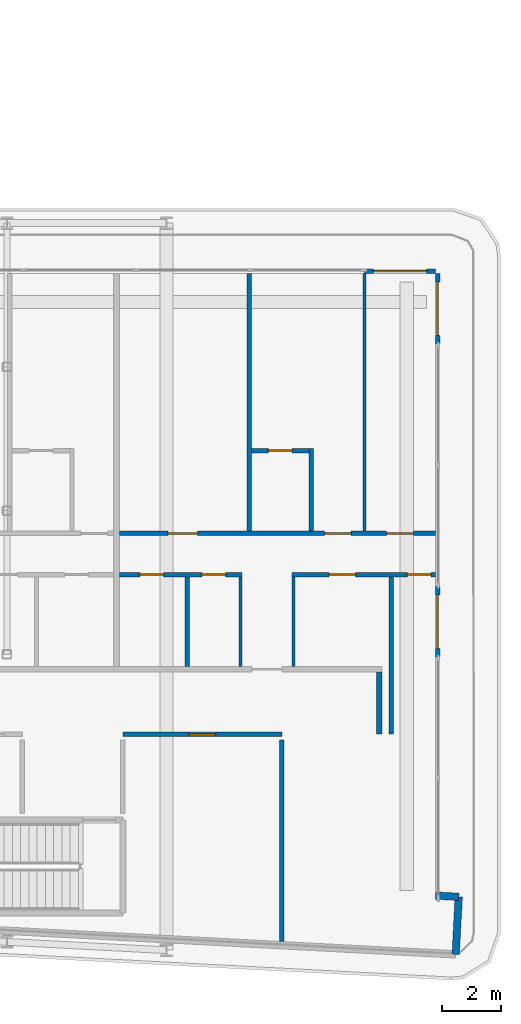
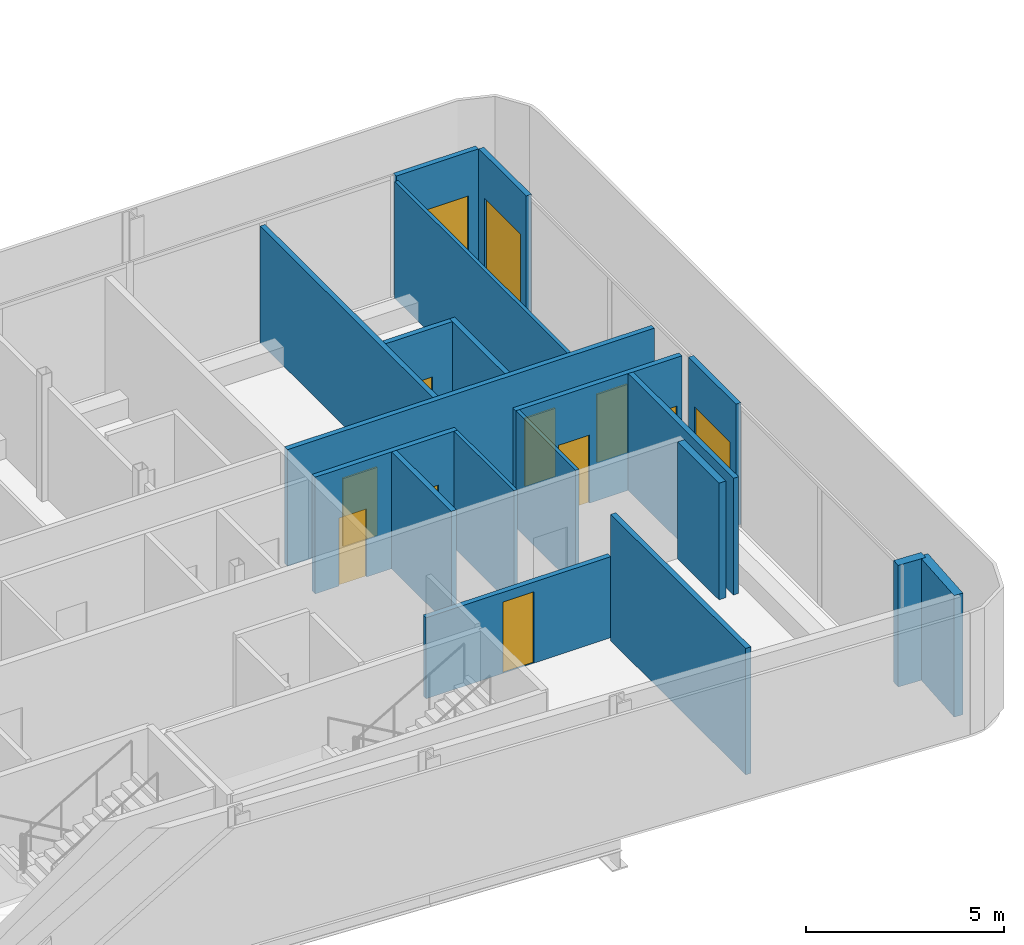
# One storey, part 21 of 30: 19 walls, 12 doors, 12 openings.
"""IFC4 building model written with IfcOpenShell, lengths in metres."""

import ifcopenshell
import ifcopenshell.guid

model = None  # the IFC model being written
_history = None  # IfcOwnerHistory: only IFC2X3 demands one
_inside = {}  # id of a spatial element -> (the spatial element, [elements in it])
_under = {}  # id of a project, library or spatial element -> (it, [spatial elements below it])
_declared = {}  # id of a project -> (the project, [libraries it declares])
_typed = {}  # id of a type object -> (the type object, [elements of that type])
_made_of = {}  # id of a material, layer set ... -> (it, [elements and type objects made of it])


def new_model(schema):
    """Start an empty IFC model of exactly this schema.

    Asked for "IFC4X3", IfcOpenShell would pick the latest addendum, in which some entities
    have other attributes; the version numbers below select the first issue.
    IFC2X3 requires an IfcOwnerHistory on every rooted entity: one is made here for all.
    """
    global model, _history
    if schema == "IFC4X3":
        model = ifcopenshell.file(schema_version=(4, 3, 0, 0))
    else:
        model = ifcopenshell.file(schema=schema)
    _inside.clear()
    _under.clear()
    _declared.clear()
    _typed.clear()
    _made_of.clear()
    _history = None
    if model.schema == "IFC2X3":
        org = make("IfcOrganization", Name="unknown")
        user = make(
            "IfcPersonAndOrganization",
            ThePerson=make("IfcPerson", FamilyName="unknown"),
            TheOrganization=org,
        )
        app = make(
            "IfcApplication",
            ApplicationDeveloper=org,
            Version="unknown",
            ApplicationFullName="unknown",
            ApplicationIdentifier="unknown",
        )
        _history = make(
            "IfcOwnerHistory",
            OwningUser=user,
            OwningApplication=app,
            ChangeAction="ADDED",
            CreationDate=0,
        )
    return model


def make(cls, **values):
    """One entity of the class cls with the attributes given. An attribute that is None is left unset."""
    return model.create_entity(
        cls, **{name: value for name, value in values.items() if value is not None}
    )


def rooted(cls, **values):
    """An entity with a GlobalId (a new one), such as an element, a storey or a relation."""
    return make(cls, GlobalId=ifcopenshell.guid.new(), OwnerHistory=_history, **values)


def si_unit(unit_type, name, prefix=None):
    """IfcSIUnit, for example si_unit("LENGTHUNIT", "METRE", prefix="MILLI")."""
    return make("IfcSIUnit", UnitType=unit_type, Prefix=prefix, Name=name)


def assignment(units):
    """IfcUnitAssignment: the units of a project."""
    return None if units is None else make("IfcUnitAssignment", Units=units)


def point(xyz):
    """IfcCartesianPoint."""
    return None if xyz is None else make("IfcCartesianPoint", Coordinates=xyz)


def direction(xyz):
    """IfcDirection."""
    return None if xyz is None else make("IfcDirection", DirectionRatios=xyz)


def frame(location, z_axis=None, x_axis=None):
    """IfcAxis2Placement3D, a coordinate frame: its origin and axes. An axis left out is left unset."""
    return make(
        "IfcAxis2Placement3D",
        Location=point(location),
        Axis=direction(z_axis),
        RefDirection=direction(x_axis),
    )


def frame_2d(location, x_axis=None):
    """IfcAxis2Placement2D, a coordinate frame in the plane: its origin and x axis."""
    return make(
        "IfcAxis2Placement2D", Location=point(location), RefDirection=direction(x_axis)
    )


def origin():
    """The frame at (0, 0, 0) with its axes left unset."""
    return frame((0.0, 0.0, 0.0))


def place(relative_to, where):
    """IfcLocalPlacement: puts the frame where relative to a parent placement (None: the world)."""
    return make(
        "IfcLocalPlacement", PlacementRelTo=relative_to, RelativePlacement=where
    )


def context(
    kind, dimensions, precision=None, world=None, true_north=None, identifier=None
):
    """IfcGeometricRepresentationContext, for example the 3D "Model" context."""
    return make(
        "IfcGeometricRepresentationContext",
        ContextIdentifier=identifier,
        ContextType=kind,
        CoordinateSpaceDimension=dimensions,
        Precision=precision,
        WorldCoordinateSystem=world,
        TrueNorth=true_north,
    )


def subcontext(parent, identifier, kind, view, scale=None):
    """IfcGeometricRepresentationSubContext, for example "Body" below "Model"."""
    return make(
        "IfcGeometricRepresentationSubContext",
        ContextIdentifier=identifier,
        ContextType=kind,
        ParentContext=parent,
        TargetScale=scale,
        TargetView=view,
    )


def project(units=None, contexts=None):
    """IfcProject with its units and contexts."""
    return rooted(
        "IfcProject",
        Name="project",
        RepresentationContexts=contexts,
        UnitsInContext=assignment(units),
    )


def spatial(cls, under=None, at=None, **own):
    """A site, building, storey or space (cls), placed at a placement, below another one or the project."""
    s = rooted(cls, ObjectPlacement=at, **own)
    if under is not None:
        _under.setdefault(under.id(), (under, []))[1].append(s)
    return s


def profile(cls, at=None, kind="AREA", **sizes):
    """A parametric profile (cls). Its sizes go by their IFC names, for example OverallWidth=200.0."""
    return make(cls, ProfileType=kind, Position=at, **sizes)


def rectangle(**sizes):
    """IfcRectangleProfileDef."""
    return profile("IfcRectangleProfileDef", **sizes)


def extrude(swept, where, along, depth):
    """IfcExtrudedAreaSolid: the profile swept, set in the frame where, extruded along a direction by depth."""
    return make(
        "IfcExtrudedAreaSolid",
        SweptArea=swept,
        Position=where,
        ExtrudedDirection=direction(along),
        Depth=depth,
    )


def shape(context_of_items, identifier, shape_type, items):
    """IfcShapeRepresentation: the items that make up one representation, for example the "Body"."""
    return make(
        "IfcShapeRepresentation",
        ContextOfItems=context_of_items,
        RepresentationIdentifier=identifier,
        RepresentationType=shape_type,
        Items=items,
    )


def source(mapping_origin, context_of_items, identifier, shape_type, items):
    """IfcRepresentationMap: a shape defined once, which mapped items show again and again."""
    return make(
        "IfcRepresentationMap",
        MappingOrigin=mapping_origin,
        MappedRepresentation=shape(context_of_items, identifier, shape_type, items),
    )


def transform(
    local_origin,
    x_axis=None,
    y_axis=None,
    z_axis=None,
    scale=None,
    scale2=None,
    scale3=None,
    uniform=True,
):
    """IfcCartesianTransformationOperator3D, or its non-uniform kind. x_axis, y_axis, z_axis: its Axis1, 2, 3."""
    if uniform:
        return make(
            "IfcCartesianTransformationOperator3D",
            Axis1=direction(x_axis),
            Axis2=direction(y_axis),
            LocalOrigin=point(local_origin),
            Scale=scale,
            Axis3=direction(z_axis),
        )
    return make(
        "IfcCartesianTransformationOperator3DnonUniform",
        Axis1=direction(x_axis),
        Axis2=direction(y_axis),
        LocalOrigin=point(local_origin),
        Scale=scale,
        Axis3=direction(z_axis),
        Scale2=scale2,
        Scale3=scale3,
    )


def mapped(mapping_source, mapping_target):
    """IfcMappedItem: shows the shape of a source again, moved by a transform."""
    return make(
        "IfcMappedItem", MappingSource=mapping_source, MappingTarget=mapping_target
    )


def material(Name=None, Category=None):
    """IfcMaterial."""
    return make("IfcMaterial", Name=Name, Category=Category)


def layer(
    of_material, thickness, ventilated=None, Name=None, Category=None, Priority=None
):
    """IfcMaterialLayer: one layer of a wall or slab, of a material (None: an air gap)."""
    return make(
        "IfcMaterialLayer",
        Material=of_material,
        LayerThickness=thickness,
        IsVentilated=ventilated,
        Name=Name,
        Category=Category,
        Priority=Priority,
    )


def layer_set(layers, Name=None):
    """IfcMaterialLayerSet."""
    return make("IfcMaterialLayerSet", MaterialLayers=layers, LayerSetName=Name)


def made_of(thing, what):
    """Note that an element or type object is made of a material, layer set ...; save() writes the relation."""
    if what is not None:
        _made_of.setdefault(what.id(), (what, []))[1].append(thing)
    return thing


def type_object(cls, material=None, **own):
    """A type object (cls), such as IfcWallType, which elements share."""
    return made_of(rooted(cls, **own), material)


def element(
    cls,
    number,
    at=None,
    inside=None,
    cuts=None,
    type_object=None,
    material=None,
    context=None,
    identifier="Body",
    shape_type=None,
    held_by="IfcProductDefinitionShape",
    body=None,
    shapes=None,
    **own,
):
    """One element of the class cls, such as IfcWall. Its Tag is "e" and its number.

    at: its placement. inside: the storey or other place that contains it. cuts: it is an
    opening in that element (IfcRelVoidsElement). A single representation is given by context,
    identifier, shape_type and body (its items); several are given by shapes. held_by: the class
    of the entity that holds the representations. save() writes the other relations.
    """
    e = rooted(cls, Tag="e%d" % number, ObjectPlacement=at, **own)
    if body is not None:
        shapes = [shape(context, identifier, shape_type, body)]
    if shapes is not None:
        e.Representation = make(held_by, Representations=shapes)
    if inside is not None:
        _inside.setdefault(inside.id(), (inside, []))[1].append(e)
    if cuts is not None:
        rooted(
            "IfcRelVoidsElement", RelatingBuildingElement=cuts, RelatedOpeningElement=e
        )
    if type_object is not None:
        _typed.setdefault(type_object.id(), (type_object, []))[1].append(e)
    return made_of(e, material)


def fill(opening, filler):
    """IfcRelFillsElement: the door or window that sits in an opening."""
    return rooted(
        "IfcRelFillsElement",
        RelatingOpeningElement=opening,
        RelatedBuildingElement=filler,
    )


def aggregate(whole, parts):
    """IfcRelAggregates: a whole, such as a stair, and the parts it consists of."""
    return rooted("IfcRelAggregates", RelatingObject=whole, RelatedObjects=parts)


def save(model, path):
    """Write the relations noted so far, then the file.

    IfcRelAggregates (storeys below a building ...), IfcRelContainedInSpatialStructure (elements
    in a storey), IfcRelDefinesByType, IfcRelAssociatesMaterial and IfcRelDeclares: one each for
    every whole, place, type object, material and project.
    """
    for whole, parts in _under.values():
        aggregate(whole, parts)
    for where, things in _inside.values():
        rooted(
            "IfcRelContainedInSpatialStructure",
            RelatedElements=things,
            RelatingStructure=where,
        )
    for kind, things in _typed.values():
        rooted("IfcRelDefinesByType", RelatedObjects=things, RelatingType=kind)
    for what, things in _made_of.values():
        rooted("IfcRelAssociatesMaterial", RelatedObjects=things, RelatingMaterial=what)
    for by, libraries in _declared.values():
        rooted("IfcRelDeclares", RelatingContext=by, RelatedDefinitions=libraries)
    model.write(path)


model = new_model("IFC4")

# Units and contexts
model_context = context("Model", 3, precision=1e-05, world=origin(), true_north=direction((0.0, 1.0)))
body_context = subcontext(model_context, "Body", "Model", "MODEL_VIEW")
ifc_project = project(units=[si_unit("LENGTHUNIT", "METRE"), si_unit("AREAUNIT", "SQUARE_METRE"), si_unit("VOLUMEUNIT", "CUBIC_METRE"), si_unit("PLANEANGLEUNIT", "RADIAN"), si_unit("MASSUNIT", "GRAM", prefix="KILO")], contexts=[model_context])

# Site, building, storey
site_placement = place(None, origin())
site = spatial("IfcSite", under=ifc_project, at=site_placement, CompositionType="ELEMENT")
building_placement = place(site_placement, origin())
building = spatial("IfcBuilding", under=site, at=building_placement, Name="Kheshtan School and Residences Tower", CompositionType="ELEMENT")
storey_placement = place(building_placement, frame((0.0, 0.0, 199.39990234375)))
storey = spatial("IfcBuildingStorey", under=building, at=storey_placement, Name="L47", CompositionType="ELEMENT", Elevation=199.39990234375)

# Walls
ifc_material_1 = material(Name="Gypsum board on steel studs with fire boards", Category="steel")
ifc_layer_1 = layer(ifc_material_1, 0.199951171875)
ifc_layer_set_1 = layer_set([ifc_layer_1], Name="Corridor wall 200")
wall_type_1 = type_object("IfcWallType", Name="Corridor wall 200", PredefinedType="PARTITIONING", material=ifc_layer_set_1)
wall_1_placement = place(storey_placement, frame((98.0, 28.300048828125, 0.0), z_axis=(0.0, 0.0, 1.0), x_axis=(0.0, 1.0, 0.0)))
element("IfcWall", 1, at=wall_1_placement, inside=storey, type_object=wall_type_1, Name="Partition L47-078", PredefinedType="PARTITIONING", context=body_context, shape_type="SweptSolid", body=[
    extrude(rectangle(XDim=2.099853515625, YDim=0.199951171875, at=frame_2d((1.0498046875, 0.0))), origin(), (0.0, 0.0, 1.0), 3.60009765625),
])
ifc_material_2 = material(Name="Concrete C40/50 with ceramic cladding and mineral wool insulation", Category="concrete")
ifc_layer_2 = layer(ifc_material_2, 0.25)
ifc_layer_set_2 = layer_set([ifc_layer_2], Name="External wall 250 ceramic clad")
wall_type_2 = type_object("IfcWallType", Name="External wall 250 ceramic clad", PredefinedType="SOLIDWALL", material=ifc_layer_set_2)
wall_2_placement = place(storey_placement, frame((99.906982421875, 22.839111328125, 0.0), z_axis=(0.0, 0.0, 1.0), x_axis=(0.998561284263, -0.053622398031, 0.0)))
element("IfcWall", 2, at=wall_2_placement, inside=storey, type_object=wall_type_2, Name="External wall L47 14", PredefinedType="SOLIDWALL", context=body_context, shape_type="SweptSolid", body=[
    extrude(rectangle(XDim=0.783203125, YDim=0.25, at=frame_2d((0.3916015625, 0.0))), origin(), (0.0, 0.0, 1.0), 3.75),
])
wall_3_placement = place(storey_placement, frame((100.68896484375, 22.797119140625, 0.0), z_axis=(0.0, 0.0, 1.0), x_axis=(-0.052841433274, -0.998602915542, 0.0)))
element("IfcWall", 3, at=wall_3_placement, inside=storey, type_object=wall_type_2, Name="External wall L47 15", PredefinedType="SOLIDWALL", context=body_context, shape_type="SweptSolid", body=[
    extrude(rectangle(XDim=1.94970703125, YDim=0.25, at=frame_2d((0.974853515625, 0.0))), origin(), (0.0, 0.0, 1.0), 3.75),
])

# Wall, opening, door
ifc_material_3 = material(Name="Aluminium frame wall with insulated infill", Category="aluminium")
ifc_layer_3 = layer(ifc_material_3, 0.14990234375)
ifc_layer_set_3 = layer_set([ifc_layer_3], Name="Glazing frame wall 150")
wall_type_3 = type_object("IfcWallType", Name="Glazing frame wall 150", PredefinedType="SOLIDWALL", material=ifc_layer_set_3)
wall_4_placement = place(storey_placement, frame((97.5, 43.97509765625, 0.0), z_axis=(0.0, 0.0, 1.0), x_axis=(1.0, 0.0, 0.0)))
wall_4 = element("IfcWall", 4, at=wall_4_placement, inside=storey, type_object=wall_type_3, Name="Balcony door wall L47 12.5", PredefinedType="SOLIDWALL", context=body_context, shape_type="SweptSolid", body=[
    extrude(rectangle(XDim=2.39990234375, YDim=0.14990234375, at=frame_2d((1.199951171875, 0.0))), origin(), (0.0, 0.0, 1.0), 3.75),
])
opening_1_placement = place(wall_4_placement, frame((0.300048828125, 0.0, 0.0)))
opening_1 = element("IfcOpeningElement", 5, at=opening_1_placement, cuts=wall_4, Name="Opening BD", PredefinedType="OPENING", context=body_context, shape_type="SweptSolid", body=[
    extrude(rectangle(XDim=1.800048828125, YDim=2.39990234375, at=frame_2d((0.89990234375, 1.199951171875))), frame((0.0, 0.0849609375, 0.0), z_axis=(0.0, -1.0, 0.0), x_axis=(1.0, 0.0, 0.0)), (0.0, 0.0, 1.0), 0.169921875),
])
ifc_material_4 = material(Name="Clear low-e glass in thermally broken aluminium frame", Category="aluminium")
door_type_1 = type_object("IfcDoorType", Name="Balcony sliding door", OperationType="SLIDING_TO_LEFT", PredefinedType="DOOR", material=ifc_material_4)
shared_shape_1 = source(origin(), body_context, "Body", "SweptSolid", [
    extrude(rectangle(XDim=1.800048828125, YDim=2.39990234375, at=frame_2d((0.89990234375, 1.199951171875))), frame((0.0, 0.02490234375, 0.0), z_axis=(0.0, -1.0, 0.0), x_axis=(1.0, 0.0, 0.0)), (0.0, 0.0, 1.0), 0.050048828125),
])
door_1_placement = place(opening_1_placement, origin())
door_1 = element("IfcDoor", 6, at=door_1_placement, inside=storey, type_object=door_type_1, Name="Balcony door L47 12.5", OperationType="SLIDING_TO_LEFT", OverallHeight=2.39990234375, OverallWidth=1.800048828125, PredefinedType="DOOR", context=body_context, shape_type="MappedRepresentation", body=[
    mapped(shared_shape_1, transform((0.0, 0.0, 0.0), x_axis=(1.0, 0.0, 0.0), y_axis=(0.0, 1.0, 0.0), z_axis=(0.0, 0.0, 1.0), scale=1.0)),
])
fill(opening_1, door_1)

wall_5_placement = place(storey_placement, frame((99.97509765625, 43.89990234375, 0.0), z_axis=(0.0, 0.0, 1.0), x_axis=(0.0, -1.0, 0.0)))
wall_5 = element("IfcWall", 7, at=wall_5_placement, inside=storey, type_object=wall_type_3, Name="Balcony door wall L47 13.1", PredefinedType="SOLIDWALL", context=body_context, shape_type="SweptSolid", body=[
    extrude(rectangle(XDim=2.39990234375, YDim=0.14990234375, at=frame_2d((1.199951171875, 0.0))), origin(), (0.0, 0.0, 1.0), 3.75),
])
opening_2_placement = place(wall_5_placement, frame((0.300048828125, 0.0, 0.0)))
opening_2 = element("IfcOpeningElement", 8, at=opening_2_placement, cuts=wall_5, Name="Opening BD", PredefinedType="OPENING", context=body_context, shape_type="SweptSolid", body=[
    extrude(rectangle(XDim=1.800048828125, YDim=2.39990234375, at=frame_2d((0.89990234375, 1.199951171875))), frame((0.0, 0.0849609375, 0.0), z_axis=(0.0, -1.0, 0.0), x_axis=(1.0, 0.0, 0.0)), (0.0, 0.0, 1.0), 0.169921875),
])
door_2_placement = place(opening_2_placement, origin())
door_2 = element("IfcDoor", 9, at=door_2_placement, inside=storey, type_object=door_type_1, Name="Balcony door L47 13.1", OperationType="SLIDING_TO_LEFT", OverallHeight=2.39990234375, OverallWidth=1.800048828125, PredefinedType="DOOR", context=body_context, shape_type="MappedRepresentation", body=[
    mapped(shared_shape_1, transform((0.0, 0.0, 0.0), x_axis=(1.0, 0.0, 0.0), y_axis=(0.0, 1.0, 0.0), z_axis=(0.0, 0.0, 1.0), scale=1.0)),
])
fill(opening_2, door_2)

wall_6_placement = place(storey_placement, frame((99.97509765625, 33.306884765625, 0.0), z_axis=(0.0, 0.0, 1.0), x_axis=(0.0, -1.0, 0.0)))
wall_6 = element("IfcWall", 10, at=wall_6_placement, inside=storey, type_object=wall_type_3, Name="Balcony door wall L47 13.2", PredefinedType="SOLIDWALL", context=body_context, shape_type="SweptSolid", body=[
    extrude(rectangle(XDim=2.39990234375, YDim=0.14990234375, at=frame_2d((1.199951171875, 0.0))), origin(), (0.0, 0.0, 1.0), 3.75),
])
opening_3_placement = place(wall_6_placement, frame((0.300048828125, 0.0, 0.0)))
opening_3 = element("IfcOpeningElement", 11, at=opening_3_placement, cuts=wall_6, Name="Opening BD", PredefinedType="OPENING", context=body_context, shape_type="SweptSolid", body=[
    extrude(rectangle(XDim=1.800048828125, YDim=2.39990234375, at=frame_2d((0.89990234375, 1.199951171875))), frame((0.0, 0.0849609375, 0.0), z_axis=(0.0, -1.0, 0.0), x_axis=(1.0, 0.0, 0.0)), (0.0, 0.0, 1.0), 0.169921875),
])
door_3_placement = place(opening_3_placement, origin())
door_3 = element("IfcDoor", 12, at=door_3_placement, inside=storey, type_object=door_type_1, Name="Balcony door L47 13.2", OperationType="SLIDING_TO_LEFT", OverallHeight=2.39990234375, OverallWidth=1.800048828125, PredefinedType="DOOR", context=body_context, shape_type="MappedRepresentation", body=[
    mapped(shared_shape_1, transform((0.0, 0.0, 0.0), x_axis=(1.0, 0.0, 0.0), y_axis=(0.0, 1.0, 0.0), z_axis=(0.0, 0.0, 1.0), scale=1.0)),
])
fill(opening_3, door_3)

# Walls
ifc_material_5 = material(Name="Gypsum board on steel studs", Category="steel")
ifc_layer_4 = layer(ifc_material_5, 0.10009765625)
ifc_layer_set_4 = layer_set([ifc_layer_4], Name="Gypsum partition 100")
wall_type_4 = type_object("IfcWallType", Name="Gypsum partition 100", PredefinedType="PARTITIONING", material=ifc_layer_set_4)
for number, where, z_axis, x_axis, name in (
    (13, (93.300048828125, 30.60009765625, 0.0), (0.0, 0.0, 1.0), (0.0, 1.0, 0.0), "Partition L47-071"),
    (14, (95.10009765625, 30.60009765625, 0.0), (0.0, 0.0, 1.0), (0.0, 1.0, 0.0), "Partition L47-075"),
):
    element("IfcWall", number, at=place(storey_placement, frame(where, z_axis=z_axis, x_axis=x_axis)), inside=storey, type_object=wall_type_4, Name=name, PredefinedType="PARTITIONING", context=body_context, shape_type="SweptSolid", body=[
        extrude(rectangle(XDim=3.02490234375, YDim=0.10009765625, at=frame_2d((1.512451171875, 0.0))), origin(), (0.0, 0.0, 1.0), 3.60009765625),
    ])
wall_7_placement = place(storey_placement, frame((97.5, 35.175048828125, 0.0), z_axis=(0.0, 0.0, 1.0), x_axis=(0.0, 1.0, 0.0)))
element("IfcWall", 15, at=wall_7_placement, inside=storey, type_object=wall_type_4, Name="Partition L47-077", PredefinedType="PARTITIONING", context=body_context, shape_type="SweptSolid", body=[
    extrude(rectangle(XDim=8.724853515625, YDim=0.10009765625, at=frame_2d((4.3623046875, 0.0))), origin(), (0.0, 0.0, 1.0), 3.60009765625),
])

# Wall, opening, door
ifc_material_6 = material(Name="Fire-board shaft wall system")
ifc_layer_5 = layer(ifc_material_6, 0.14990234375)
ifc_layer_set_5 = layer_set([ifc_layer_5], Name="Service room wall 150")
wall_type_5 = type_object("IfcWallType", Name="Service room wall 150", PredefinedType="PARTITIONING", material=ifc_layer_set_5)
wall_8_placement = place(storey_placement, frame((89.320068359375, 28.300048828125, 0.0), z_axis=(0.0, 0.0, 1.0), x_axis=(1.0, 0.0, 0.0)))
wall_8 = element("IfcWall", 16, at=wall_8_placement, inside=storey, type_object=wall_type_5, Name="Service room wall", PredefinedType="PARTITIONING", context=body_context, shape_type="SweptSolid", body=[
    extrude(rectangle(XDim=5.385986328125, YDim=0.14990234375, at=frame_2d((2.69287109375, 0.0))), origin(), (0.0, 0.0, 1.0), 2.5),
])
opening_4_placement = place(wall_8_placement, frame((2.242919921875, 0.0, 0.0)))
opening_4 = element("IfcOpeningElement", 17, at=opening_4_placement, cuts=wall_8, Name="Opening SR90", PredefinedType="OPENING", context=body_context, shape_type="SweptSolid", body=[
    extrude(rectangle(XDim=0.89990234375, YDim=2.199951171875, at=frame_2d((0.449951171875, 1.10009765625))), frame((0.0, 0.0849609375, 0.0), z_axis=(0.0, -1.0, 0.0), x_axis=(1.0, 0.0, 0.0)), (0.0, 0.0, 1.0), 0.169921875),
])
ifc_material_7 = material(Name="Steel door leaf, galvanised", Category="steel")
door_type_2 = type_object("IfcDoorType", Name="Service room door 900 steel 90 min", OperationType="SINGLE_SWING_LEFT", PredefinedType="DOOR", material=ifc_material_7)
shared_shape_2 = source(origin(), body_context, "Body", "SweptSolid", [
    extrude(rectangle(XDim=0.89990234375, YDim=2.199951171875, at=frame_2d((0.449951171875, 1.10009765625))), frame((0.0, 0.02490234375, 0.0), z_axis=(0.0, -1.0, 0.0), x_axis=(1.0, 0.0, 0.0)), (0.0, 0.0, 1.0), 0.050048828125),
])
door_4_placement = place(opening_4_placement, origin())
door_4 = element("IfcDoor", 18, at=door_4_placement, inside=storey, type_object=door_type_2, Name="Service room door", OperationType="SINGLE_SWING_LEFT", OverallHeight=2.199951171875, OverallWidth=0.89990234375, PredefinedType="DOOR", context=body_context, shape_type="MappedRepresentation", body=[
    mapped(shared_shape_2, transform((0.0, 0.0, 0.0), x_axis=(1.0, 0.0, 0.0), y_axis=(0.0, 1.0, 0.0), z_axis=(0.0, 0.0, 1.0), scale=1.0)),
])
fill(opening_4, door_4)

# Wall
wall_9_placement = place(storey_placement, frame((94.7060546875, 21.287109375, 0.0), z_axis=(0.0, 0.0, 1.0), x_axis=(0.0, 1.0, 0.0)))
element("IfcWall", 19, at=wall_9_placement, inside=storey, type_object=wall_type_5, Name="Service room wall", PredefinedType="PARTITIONING", context=body_context, shape_type="SweptSolid", body=[
    extrude(rectangle(XDim=6.81787109375, YDim=0.14990234375, at=frame_2d((3.408935546875, 0.0))), origin(), (0.0, 0.0, 1.0), 3.900146484375),
])

# Wall, openings, doors
ifc_material_8 = material(Name="Moisture-resistant gypsum board on steel studs", Category="steel")
ifc_layer_6 = layer(ifc_material_8, 0.14990234375)
ifc_layer_set_6 = layer_set([ifc_layer_6], Name="Wet-room partition 150")
wall_type_6 = type_object("IfcWallType", Name="Wet-room partition 150", PredefinedType="PARTITIONING", material=ifc_layer_set_6)
wall_10_placement = place(storey_placement, frame((89.199951171875, 33.699951171875, 0.0), z_axis=(0.0, 0.0, 1.0), x_axis=(1.0, 0.0, 0.0)))
wall_10 = element("IfcWall", 20, at=wall_10_placement, inside=storey, type_object=wall_type_6, Name="Partition L47-068", PredefinedType="PARTITIONING", context=body_context, shape_type="SweptSolid", body=[
    extrude(rectangle(XDim=4.150146484375, YDim=0.14990234375, at=frame_2d((2.0751953125, 0.0))), origin(), (0.0, 0.0, 1.0), 3.60009765625),
])
opening_5_placement = place(wall_10_placement, frame((0.699951171875, 0.0, 0.0)))
opening_5 = element("IfcOpeningElement", 21, at=opening_5_placement, cuts=wall_10, Name="Opening D46-027", PredefinedType="OPENING", context=body_context, shape_type="SweptSolid", body=[
    extrude(rectangle(XDim=0.800048828125, YDim=2.10009765625, at=frame_2d((0.39990234375, 1.050048828125))), frame((0.0, 0.0849609375, 0.0), z_axis=(0.0, -1.0, 0.0), x_axis=(1.0, 0.0, 0.0)), (0.0, 0.0, 1.0), 0.169921875),
])
opening_6_placement = place(wall_10_placement, frame((2.800048828125, 0.0, 0.0)))
opening_6 = element("IfcOpeningElement", 22, at=opening_6_placement, cuts=wall_10, Name="Opening D46-034", PredefinedType="OPENING", context=body_context, shape_type="SweptSolid", body=[
    extrude(rectangle(XDim=0.800048828125, YDim=2.10009765625, at=frame_2d((0.39990234375, 1.050048828125))), frame((0.0, 0.0849609375, 0.0), z_axis=(0.0, -1.0, 0.0), x_axis=(1.0, 0.0, 0.0)), (0.0, 0.0, 1.0), 0.169921875),
])
ifc_material_9 = material(Name="Veneered timber door leaf", Category="wood")
door_type_3 = type_object("IfcDoorType", Name="Door 800 x 2100", OperationType="SINGLE_SWING_LEFT", PredefinedType="DOOR", material=ifc_material_9)
shared_shape_3 = source(origin(), body_context, "Body", "SweptSolid", [
    extrude(rectangle(XDim=0.800048828125, YDim=2.10009765625, at=frame_2d((0.39990234375, 1.050048828125))), frame((0.0, 0.02490234375, 0.0), z_axis=(0.0, -1.0, 0.0), x_axis=(1.0, 0.0, 0.0)), (0.0, 0.0, 1.0), 0.050048828125),
])
door_5_placement = place(opening_5_placement, origin())
door_5 = element("IfcDoor", 23, at=door_5_placement, inside=storey, type_object=door_type_3, Name="Door D46-027", OperationType="SINGLE_SWING_RIGHT", OverallHeight=2.10009765625, OverallWidth=0.800048828125, PredefinedType="DOOR", context=body_context, shape_type="MappedRepresentation", body=[
    mapped(shared_shape_3, transform((0.0, 0.0, 0.0), x_axis=(1.0, 0.0, 0.0), y_axis=(0.0, 1.0, 0.0), z_axis=(0.0, 0.0, 1.0), scale=1.0)),
])
fill(opening_5, door_5)
door_6_placement = place(opening_6_placement, origin())
door_6 = element("IfcDoor", 24, at=door_6_placement, inside=storey, type_object=door_type_3, Name="Door D46-034", OperationType="SINGLE_SWING_LEFT", OverallHeight=2.10009765625, OverallWidth=0.800048828125, PredefinedType="DOOR", context=body_context, shape_type="MappedRepresentation", body=[
    mapped(shared_shape_3, transform((0.0, 0.0, 0.0), x_axis=(1.0, 0.0, 0.0), y_axis=(0.0, 1.0, 0.0), z_axis=(0.0, 0.0, 1.0), scale=1.0)),
])
fill(opening_6, door_6)

wall_11_placement = place(storey_placement, frame((89.199951171875, 35.10009765625, 0.0), z_axis=(0.0, 0.0, 1.0), x_axis=(1.0, 0.0, 0.0)))
wall_11 = element("IfcWall", 25, at=wall_11_placement, inside=storey, type_object=wall_type_6, Name="Partition L47-069", PredefinedType="PARTITIONING", context=body_context, shape_type="SweptSolid", body=[
    extrude(rectangle(XDim=10.699951171875, YDim=0.14990234375, at=frame_2d((5.35009765625, 0.0))), origin(), (0.0, 0.0, 1.0), 3.60009765625),
])
opening_7_placement = place(wall_11_placement, frame((9.050048828125, 0.0, 0.0)))
opening_7 = element("IfcOpeningElement", 26, at=opening_7_placement, cuts=wall_11, Name="Opening D46-028", PredefinedType="OPENING", context=body_context, shape_type="SweptSolid", body=[
    extrude(rectangle(XDim=0.89990234375, YDim=2.10009765625, at=frame_2d((0.449951171875, 1.050048828125))), frame((0.0, 0.0849609375, 0.0), z_axis=(0.0, -1.0, 0.0), x_axis=(1.0, 0.0, 0.0)), (0.0, 0.0, 1.0), 0.169921875),
])
opening_8_placement = place(wall_11_placement, frame((1.64990234375, 0.0, 0.0)))
opening_8 = element("IfcOpeningElement", 27, at=opening_8_placement, cuts=wall_11, Name="Opening D46-032", PredefinedType="OPENING", context=body_context, shape_type="SweptSolid", body=[
    extrude(rectangle(XDim=1.0, YDim=2.10009765625, at=frame_2d((0.5, 1.050048828125))), frame((0.0, 0.0849609375, 0.0), z_axis=(0.0, -1.0, 0.0), x_axis=(1.0, 0.0, 0.0)), (0.0, 0.0, 1.0), 0.169921875),
])
opening_9_placement = place(wall_11_placement, frame((6.949951171875, 0.0, 0.0)))
opening_9 = element("IfcOpeningElement", 28, at=opening_9_placement, cuts=wall_11, Name="Opening D46-033", PredefinedType="OPENING", context=body_context, shape_type="SweptSolid", body=[
    extrude(rectangle(XDim=0.89990234375, YDim=2.10009765625, at=frame_2d((0.449951171875, 1.050048828125))), frame((0.0, 0.0849609375, 0.0), z_axis=(0.0, -1.0, 0.0), x_axis=(1.0, 0.0, 0.0)), (0.0, 0.0, 1.0), 0.169921875),
])
door_type_4 = type_object("IfcDoorType", Name="Door 1000 x 2100", OperationType="SINGLE_SWING_LEFT", PredefinedType="DOOR", material=ifc_material_9)
shared_shape_4 = source(origin(), body_context, "Body", "SweptSolid", [
    extrude(rectangle(XDim=1.0, YDim=2.10009765625, at=frame_2d((0.5, 1.050048828125))), frame((0.0, 0.02490234375, 0.0), z_axis=(0.0, -1.0, 0.0), x_axis=(1.0, 0.0, 0.0)), (0.0, 0.0, 1.0), 0.050048828125),
])
door_7_placement = place(opening_8_placement, origin())
door_7 = element("IfcDoor", 29, at=door_7_placement, inside=storey, type_object=door_type_4, Name="Door D46-032", OperationType="SINGLE_SWING_LEFT", OverallHeight=2.10009765625, OverallWidth=1.0, PredefinedType="DOOR", context=body_context, shape_type="MappedRepresentation", body=[
    mapped(shared_shape_4, transform((0.0, 0.0, 0.0), x_axis=(1.0, 0.0, 0.0), y_axis=(0.0, 1.0, 0.0), z_axis=(0.0, 0.0, 1.0), scale=1.0)),
])
fill(opening_8, door_7)
door_type_5 = type_object("IfcDoorType", Name="Door 900 x 2100", OperationType="SINGLE_SWING_LEFT", PredefinedType="DOOR", material=ifc_material_9)
shared_shape_5 = source(origin(), body_context, "Body", "SweptSolid", [
    extrude(rectangle(XDim=0.89990234375, YDim=2.10009765625, at=frame_2d((0.449951171875, 1.050048828125))), frame((0.0, 0.02490234375, 0.0), z_axis=(0.0, -1.0, 0.0), x_axis=(1.0, 0.0, 0.0)), (0.0, 0.0, 1.0), 0.050048828125),
])
door_8_placement = place(opening_7_placement, origin())
door_8 = element("IfcDoor", 30, at=door_8_placement, inside=storey, type_object=door_type_5, Name="Door D46-028", OperationType="SINGLE_SWING_LEFT", OverallHeight=2.10009765625, OverallWidth=0.89990234375, PredefinedType="DOOR", context=body_context, shape_type="MappedRepresentation", body=[
    mapped(shared_shape_5, transform((0.0, 0.0, 0.0), x_axis=(1.0, 0.0, 0.0), y_axis=(0.0, 1.0, 0.0), z_axis=(0.0, 0.0, 1.0), scale=1.0)),
])
fill(opening_7, door_8)
door_9_placement = place(opening_9_placement, origin())
door_9 = element("IfcDoor", 31, at=door_9_placement, inside=storey, type_object=door_type_5, Name="Door D46-033", OperationType="SINGLE_SWING_LEFT", OverallHeight=2.10009765625, OverallWidth=0.89990234375, PredefinedType="DOOR", context=body_context, shape_type="MappedRepresentation", body=[
    mapped(shared_shape_5, transform((0.0, 0.0, 0.0), x_axis=(1.0, 0.0, 0.0), y_axis=(0.0, 1.0, 0.0), z_axis=(0.0, 0.0, 1.0), scale=1.0)),
])
fill(opening_9, door_9)

# Walls
wall_12_placement = place(storey_placement, frame((91.5, 30.60009765625, 0.0), z_axis=(0.0, 0.0, 1.0), x_axis=(0.0, 1.0, 0.0)))
element("IfcWall", 32, at=wall_12_placement, inside=storey, type_object=wall_type_6, Name="Partition L47-070", PredefinedType="PARTITIONING", context=body_context, shape_type="SweptSolid", body=[
    extrude(rectangle(XDim=3.02490234375, YDim=0.14990234375, at=frame_2d((1.512451171875, 0.0))), origin(), (0.0, 0.0, 1.0), 3.60009765625),
])
wall_13_placement = place(storey_placement, frame((93.60009765625, 35.175048828125, 0.0), z_axis=(0.0, 0.0, 1.0), x_axis=(0.0, 1.0, 0.0)))
element("IfcWall", 33, at=wall_13_placement, inside=storey, type_object=wall_type_6, Name="Partition L47-072", PredefinedType="PARTITIONING", context=body_context, shape_type="SweptSolid", body=[
    extrude(rectangle(XDim=8.724853515625, YDim=0.14990234375, at=frame_2d((4.3623046875, 0.0))), origin(), (0.0, 0.0, 1.0), 3.60009765625),
])

# Wall, opening, door
wall_14_placement = place(storey_placement, frame((93.675048828125, 37.89990234375, 0.0), z_axis=(0.0, 0.0, 1.0), x_axis=(1.0, 0.0, 0.0)))
wall_14 = element("IfcWall", 34, at=wall_14_placement, inside=storey, type_object=wall_type_6, Name="Partition L47-073", PredefinedType="PARTITIONING", context=body_context, shape_type="SweptSolid", body=[
    extrude(rectangle(XDim=1.949951171875, YDim=0.14990234375, at=frame_2d((0.97509765625, 0.0))), origin(), (0.0, 0.0, 1.0), 3.60009765625),
])
opening_10_placement = place(wall_14_placement, frame((0.574951171875, 0.0, 0.0)))
opening_10 = element("IfcOpeningElement", 35, at=opening_10_placement, cuts=wall_14, Name="Opening D46-029", PredefinedType="OPENING", context=body_context, shape_type="SweptSolid", body=[
    extrude(rectangle(XDim=0.800048828125, YDim=2.10009765625, at=frame_2d((0.39990234375, 1.050048828125))), frame((0.0, 0.0849609375, 0.0), z_axis=(0.0, -1.0, 0.0), x_axis=(1.0, 0.0, 0.0)), (0.0, 0.0, 1.0), 0.169921875),
])
door_10_placement = place(opening_10_placement, origin())
door_10 = element("IfcDoor", 36, at=door_10_placement, inside=storey, type_object=door_type_3, Name="Door D46-029", OperationType="SINGLE_SWING_LEFT", OverallHeight=2.10009765625, OverallWidth=0.800048828125, PredefinedType="DOOR", context=body_context, shape_type="MappedRepresentation", body=[
    mapped(shared_shape_3, transform((0.0, 0.0, 0.0), x_axis=(1.0, 0.0, 0.0), y_axis=(0.0, 1.0, 0.0), z_axis=(0.0, 0.0, 1.0), scale=1.0)),
])
fill(opening_10, door_10)

# Wall, openings, doors
wall_15_placement = place(storey_placement, frame((95.050048828125, 33.699951171875, 0.0), z_axis=(0.0, 0.0, 1.0), x_axis=(1.0, 0.0, 0.0)))
wall_15 = element("IfcWall", 37, at=wall_15_placement, inside=storey, type_object=wall_type_6, Name="Partition L47-074", PredefinedType="PARTITIONING", context=body_context, shape_type="SweptSolid", body=[
    extrude(rectangle(XDim=4.849853515625, YDim=0.14990234375, at=frame_2d((2.4248046875, 0.0))), origin(), (0.0, 0.0, 1.0), 3.60009765625),
])
opening_11_placement = place(wall_15_placement, frame((1.25, 0.0, 0.0)))
opening_11 = element("IfcOpeningElement", 38, at=opening_11_placement, cuts=wall_15, Name="Opening D46-031", PredefinedType="OPENING", context=body_context, shape_type="SweptSolid", body=[
    extrude(rectangle(XDim=0.89990234375, YDim=2.10009765625, at=frame_2d((0.449951171875, 1.050048828125))), frame((0.0, 0.0849609375, 0.0), z_axis=(0.0, -1.0, 0.0), x_axis=(1.0, 0.0, 0.0)), (0.0, 0.0, 1.0), 0.169921875),
])
opening_12_placement = place(wall_15_placement, frame((3.89990234375, 0.0, 0.0)))
opening_12 = element("IfcOpeningElement", 39, at=opening_12_placement, cuts=wall_15, Name="Opening D46-035", PredefinedType="OPENING", context=body_context, shape_type="SweptSolid", body=[
    extrude(rectangle(XDim=0.800048828125, YDim=2.10009765625, at=frame_2d((0.39990234375, 1.050048828125))), frame((0.0, 0.0849609375, 0.0), z_axis=(0.0, -1.0, 0.0), x_axis=(1.0, 0.0, 0.0)), (0.0, 0.0, 1.0), 0.169921875),
])
door_11_placement = place(opening_12_placement, origin())
door_11 = element("IfcDoor", 40, at=door_11_placement, inside=storey, type_object=door_type_3, Name="Door D46-035", OperationType="SINGLE_SWING_RIGHT", OverallHeight=2.10009765625, OverallWidth=0.800048828125, PredefinedType="DOOR", context=body_context, shape_type="MappedRepresentation", body=[
    mapped(shared_shape_3, transform((0.0, 0.0, 0.0), x_axis=(1.0, 0.0, 0.0), y_axis=(0.0, 1.0, 0.0), z_axis=(0.0, 0.0, 1.0), scale=1.0)),
])
fill(opening_12, door_11)
door_12_placement = place(opening_11_placement, origin())
door_12 = element("IfcDoor", 41, at=door_12_placement, inside=storey, type_object=door_type_5, Name="Door D46-031", OperationType="SINGLE_SWING_LEFT", OverallHeight=2.10009765625, OverallWidth=0.89990234375, PredefinedType="DOOR", context=body_context, shape_type="MappedRepresentation", body=[
    mapped(shared_shape_5, transform((0.0, 0.0, 0.0), x_axis=(1.0, 0.0, 0.0), y_axis=(0.0, 1.0, 0.0), z_axis=(0.0, 0.0, 1.0), scale=1.0)),
])
fill(opening_11, door_12)

# Walls
wall_16_placement = place(storey_placement, frame((95.699951171875, 35.175048828125, 0.0), z_axis=(0.0, 0.0, 1.0), x_axis=(0.0, 1.0, 0.0)))
element("IfcWall", 42, at=wall_16_placement, inside=storey, type_object=wall_type_6, Name="Partition L47-076", PredefinedType="PARTITIONING", context=body_context, shape_type="SweptSolid", body=[
    extrude(rectangle(XDim=2.800048828125, YDim=0.14990234375, at=frame_2d((1.39990234375, 0.0))), origin(), (0.0, 0.0, 1.0), 3.60009765625),
])
wall_17_placement = place(storey_placement, frame((98.39990234375, 28.300048828125, 0.0), z_axis=(0.0, 0.0, 1.0), x_axis=(0.0, 1.0, 0.0)))
element("IfcWall", 43, at=wall_17_placement, inside=storey, type_object=wall_type_6, Name="Partition L47-079", PredefinedType="PARTITIONING", context=body_context, shape_type="SweptSolid", body=[
    extrude(rectangle(XDim=5.324951171875, YDim=0.14990234375, at=frame_2d((2.66259765625, 0.0))), origin(), (0.0, 0.0, 1.0), 3.60009765625),
])

save(model, "model.ifc")
